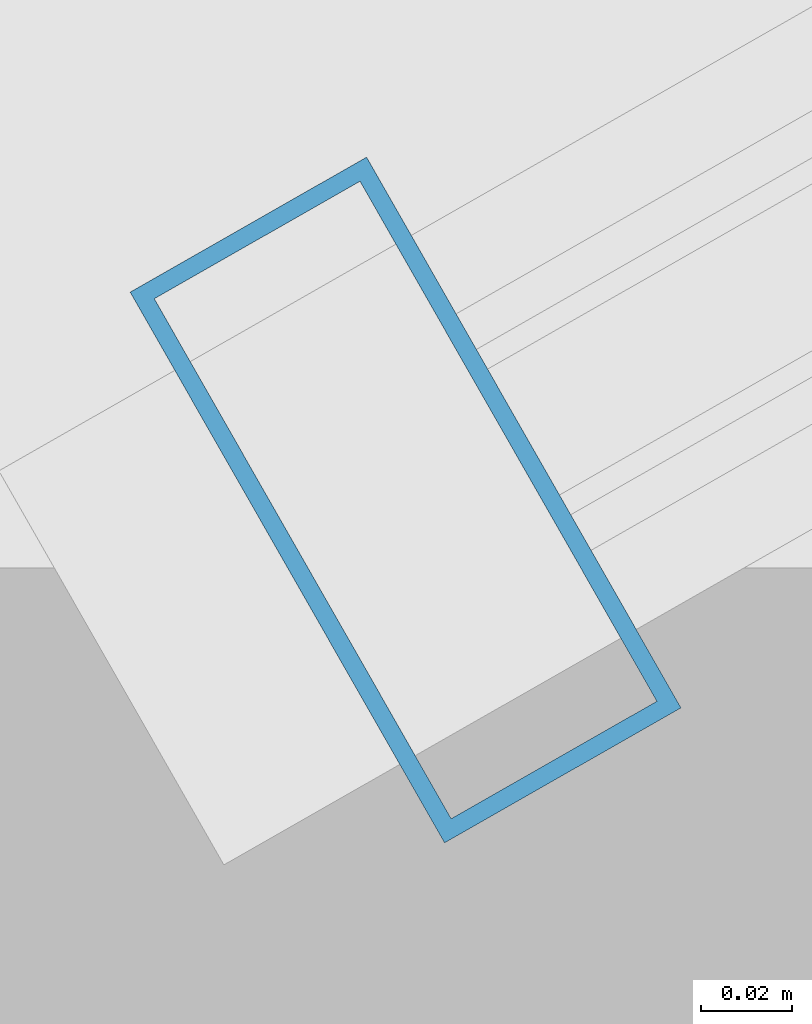
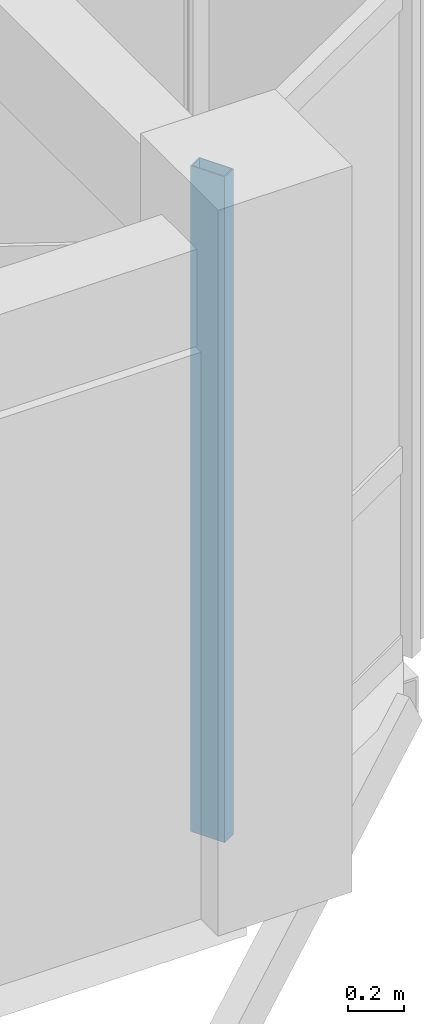
# One storey, part 21 of 75: 1 member, 1 element without a shape of its own.
"""IFC4 building model written with IfcOpenShell, lengths in metres."""

from ifc_helpers import new_model, si_unit, direction, frame, origin, origin_2d, place, context, subcontext, project, spatial, hollow_rectangle, extrude, material, layer, layer_set, material_profile, profile_set, type_object, element, aggregate, save


model = new_model("IFC4")

# Units and contexts
model_context = context("Model", 3, precision=1e-05, world=origin(), true_north=direction((0.0, 1.0)))
body_context = subcontext(model_context, "Body", "Model", "MODEL_VIEW")
ifc_project = project(units=[si_unit("LENGTHUNIT", "METRE"), si_unit("AREAUNIT", "SQUARE_METRE"), si_unit("VOLUMEUNIT", "CUBIC_METRE"), si_unit("PLANEANGLEUNIT", "RADIAN"), si_unit("MASSUNIT", "GRAM", prefix="KILO"), si_unit("THERMODYNAMICTEMPERATUREUNIT", "KELVIN"), si_unit("POWERUNIT", "WATT")], contexts=[model_context])

# Site, building, storey
site_placement = place(None, origin())
site = spatial("IfcSite", under=ifc_project, at=site_placement, CompositionType="ELEMENT")
building_placement = place(site_placement, origin())
building = spatial("IfcBuilding", under=site, at=building_placement, Name="Tavuni Mirador Residences", CompositionType="ELEMENT")
storey_placement = place(building_placement, frame((0.0, 0.0, 20.25)))
storey = spatial("IfcBuildingStorey", under=building, at=storey_placement, Name="L06", CompositionType="ELEMENT", Elevation=20.25)

# Curtain wall, member
ifc_material = material(Name="Anodised aluminium", Category="aluminium")
ifc_layer = layer(ifc_material, 0.175048828125, Name="Anodised aluminium", Category="aluminium")
ifc_layer_set = layer_set([ifc_layer], Name="Anodised aluminium")
curtain_wall_type = type_object("IfcCurtainWallType", Name="CWT-MIR-C", PredefinedType="NOTDEFINED", material=ifc_layer_set)
curtain_wall_placement = place(storey_placement, origin())
curtain_wall = element("IfcCurtainWall", 1, at=curtain_wall_placement, inside=storey, type_object=curtain_wall_type, Name="CW-MIR-D-E1-L06-M1", PredefinedType="NOTDEFINED")
ifc_material_profile = material_profile(ifc_material, hollow_rectangle(XDim=0.06005859375, YDim=0.139892578125, WallThickness=0.00390625, at=origin_2d()), Name="ALU 60x140x4.0", Category="aluminium")
ifc_profile_set = profile_set([ifc_material_profile], Name="Anodised aluminium")
member_type = type_object("IfcMemberType", Name="CWM-140", PredefinedType="MULLION", material=ifc_profile_set)
member_placement = place(storey_placement, frame((118.826171875, 86.68994140625, 0.0), z_axis=(0.0, 0.0, 1.0), x_axis=(0.868465738194, 0.495749192217, 0.0)))
member = element("IfcMember", 2, at=member_placement, type_object=member_type, Name="CW-03 mullion 1", PredefinedType="MULLION", context=body_context, shape_type="SweptSolid", body=[
    extrude(hollow_rectangle(XDim=0.06005859375, YDim=0.139892578125, WallThickness=0.00390625, at=origin_2d()), origin(), (0.0, 0.0, 1.0), 2.889892578125),
])
aggregate(curtain_wall, [member])

save(model, "model.ifc")
